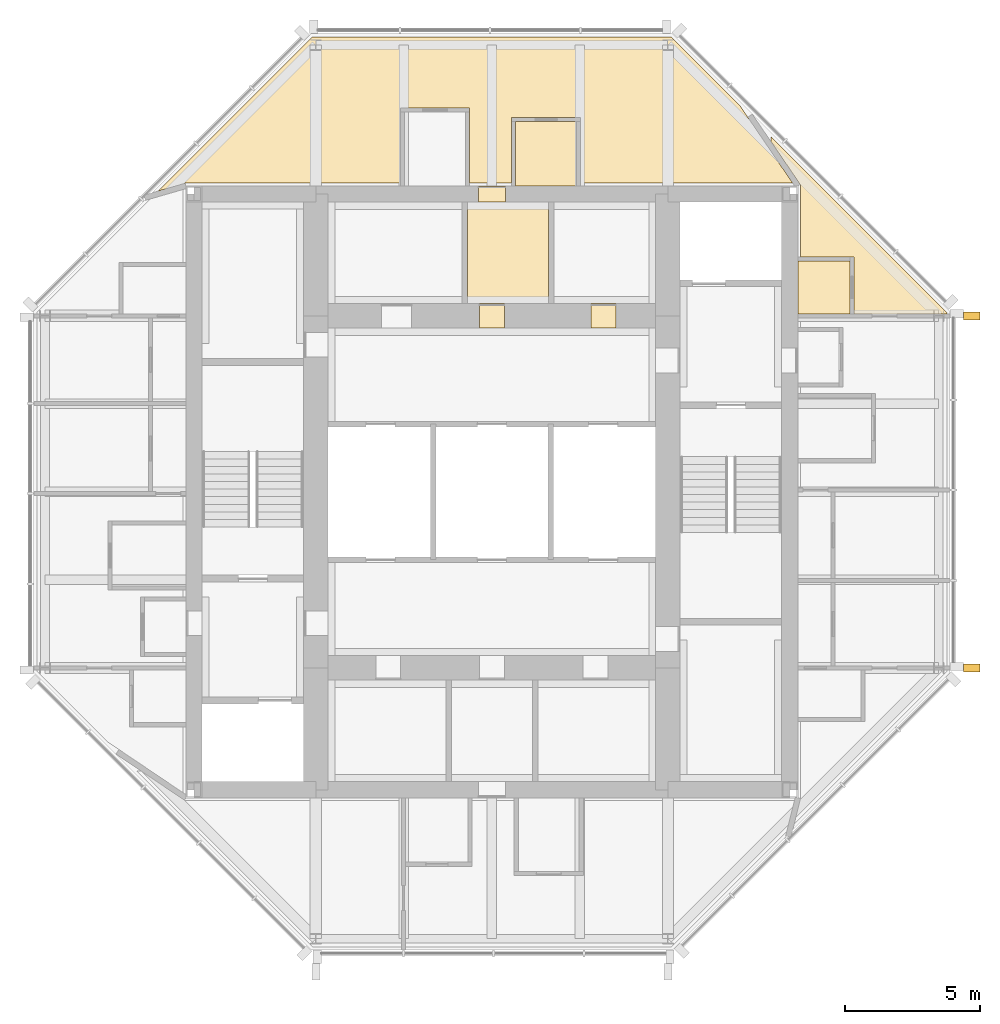
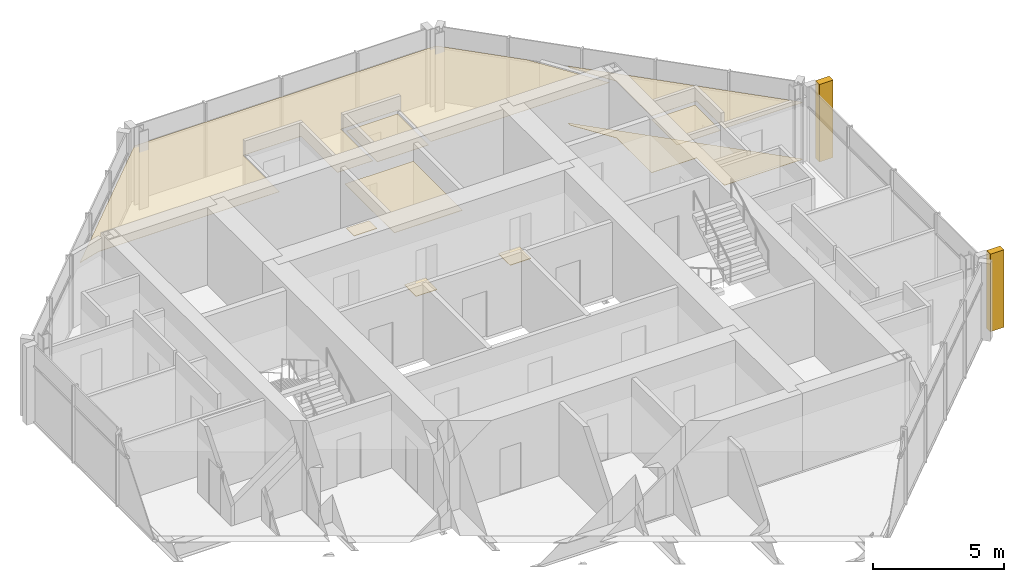
# One storey, part 9 of 9: 11 coverings.
"""IFC4 building model written with IfcOpenShell, lengths in metres."""

from ifc_helpers import new_model, si_unit, direction, frame, origin, origin_2d, place, context, subcontext, project, spatial, polyline, rectangle, outline, extrude, material, layer, layer_set, type_object, element, save


model = new_model("IFC4")

# Units and contexts
model_context = context("Model", 3, precision=1e-05, world=origin(), true_north=direction((0.0, 1.0)))
body_context = subcontext(model_context, "Body", "Model", "MODEL_VIEW")
ifc_project = project(units=[si_unit("LENGTHUNIT", "METRE"), si_unit("AREAUNIT", "SQUARE_METRE"), si_unit("VOLUMEUNIT", "CUBIC_METRE"), si_unit("PLANEANGLEUNIT", "RADIAN"), si_unit("MASSUNIT", "GRAM", prefix="KILO")], contexts=[model_context])

# Site, building, storey
site_placement = place(None, origin())
site = spatial("IfcSite", under=ifc_project, at=site_placement, CompositionType="ELEMENT")
building_placement = place(site_placement, origin())
building = spatial("IfcBuilding", under=site, at=building_placement, Name="Trevanion Tower", CompositionType="ELEMENT")
storey_placement = place(building_placement, frame((0.0, 0.0, 292.0)))
storey = spatial("IfcBuildingStorey", under=building, at=storey_placement, Name="L72", CompositionType="ELEMENT", Elevation=292.0)

# Coverings
ifc_material_1 = material(Name="Mineral fibre acoustic tiles in exposed grid", Category="mineral fibre")
ifc_layer_1 = layer(ifc_material_1, 0.02001953125)
ifc_layer_set_1 = layer_set([ifc_layer_1], Name="CL2 acoustic tile ceiling 20")
covering_type_1 = type_object("IfcCoveringType", Name="CL2 acoustic tile ceiling 20", PredefinedType="CEILING", material=ifc_layer_set_1)
covering_1_placement = place(storey_placement, frame((0.0, 0.0, 2.56005859375)))
element("IfcCovering", 1, at=covering_1_placement, inside=storey, type_object=covering_type_1, Name="CL2 L72-CNC", PredefinedType="CEILING", context=body_context, shape_type="SweptSolid", body=[
    extrude(outline(polyline([(2.10009765625, 6.949951171875), (2.10009765625, 10.699951171875), (-0.89990234375, 10.699951171875), (-0.89990234375, 6.949951171875), (2.10009765625, 6.949951171875)])), origin(), (0.0, 0.0, 1.0), 0.02001953125),
])
ifc_material_2 = material(Name="Gypsum plasterboard on suspended metal furring", Category="gypsum")
ifc_layer_2 = layer(ifc_material_2, 0.012939453125)
ifc_layer_set_2 = layer_set([ifc_layer_2], Name="CL3 plasterboard ceiling 13")
covering_type_2 = type_object("IfcCoveringType", Name="CL3 plasterboard ceiling 13", PredefinedType="CEILING", material=ifc_layer_set_2)
covering_2_placement = place(storey_placement, frame((0.0, 0.0, 2.64111328125)))
element("IfcCovering", 2, at=covering_2_placement, inside=storey, type_object=covering_type_2, Name="CL3 L72-REB3", PredefinedType="CEILING", context=body_context, shape_type="SweptSolid", body=[
    extrude(outline(polyline([(13.375, 6.574951171875), (13.375, 8.675048828125), (11.39990234375, 8.675048828125), (11.39990234375, 11.330810546875), (10.300048828125, 12.94384765625), (10.300048828125, 13.124267578125), (16.800048828125, 6.624267578125), (16.800048828125, 6.574951171875), (13.375, 6.574951171875)])), origin(), (0.0, 0.0, 1.0), 0.012939453125),
])
covering_3_placement = place(storey_placement, frame((0.0, 0.0, 2.64111328125)))
element("IfcCovering", 3, at=covering_3_placement, inside=storey, type_object=covering_type_2, Name="CL3 L72-RNL", PredefinedType="CEILING", context=body_context, shape_type="SweptSolid", body=[
    extrude(outline(polyline([(9.15185546875, 14.272216796875), (11.11083984375, 11.39990234375), (3.27490234375, 11.39990234375), (3.27490234375, 13.824951171875), (0.72509765625, 13.824951171875), (0.72509765625, 11.39990234375), (-0.824951171875, 11.39990234375), (-0.824951171875, 14.175048828125), (-3.375, 14.175048828125), (-3.375, 11.39990234375), (-11.314208984375, 11.39990234375), (-12.313720703125, 11.110595703125), (-6.624267578125, 16.800048828125), (6.624267578125, 16.800048828125), (9.15185546875, 14.272216796875)])), origin(), (0.0, 0.0, 1.0), 0.012939453125),
])
ifc_material_3 = material(Name="Moisture-resistant gypsum board on suspended metal furring", Category="gypsum")
ifc_layer_3 = layer(ifc_material_3, 0.01611328125)
ifc_layer_set_3 = layer_set([ifc_layer_3], Name="CL4 moisture-resistant board ceiling 16")
covering_type_3 = type_object("IfcCoveringType", Name="CL4 moisture-resistant board ceiling 16", PredefinedType="CEILING", material=ifc_layer_set_3)
covering_4_placement = place(storey_placement, frame((0.0, 0.0, 2.60009765625)))
element("IfcCovering", 4, at=covering_4_placement, inside=storey, type_object=covering_type_3, Name="CL4 L72-REW", PredefinedType="CEILING", context=body_context, shape_type="SweptSolid", body=[
    extrude(outline(polyline([(13.22509765625, 6.574951171875), (13.22509765625, 8.52490234375), (11.300048828125, 8.52490234375), (11.300048828125, 6.574951171875), (13.22509765625, 6.574951171875)])), origin(), (0.0, 0.0, 1.0), 0.015869140625),
])
covering_5_placement = place(storey_placement, frame((0.0, 0.0, 2.60009765625)))
element("IfcCovering", 5, at=covering_5_placement, inside=storey, type_object=covering_type_3, Name="CL4 L72-RNT", PredefinedType="CEILING", context=body_context, shape_type="SweptSolid", body=[
    extrude(outline(polyline([(3.125, 13.675048828125), (0.875, 13.675048828125), (0.875, 11.300048828125), (3.125, 11.300048828125), (3.125, 13.675048828125)])), origin(), (0.0, 0.0, 1.0), 0.015869140625),
])
ifc_material_4 = material(Name="Cast bronze fin on aluminium carrier", Category="aluminium")
covering_type_4 = type_object("IfcCoveringType", Name="F1 bronze fin", PredefinedType="CLADDING", material=ifc_material_4)
for number, where, z_axis, x_axis, name in (
    (6, (17.72509765625, -6.5, -0.18994140625), (0.0, 0.0, 1.0), (0.0, 1.0, 0.0), "F1 L72 east -6.5"),
    (7, (17.72509765625, 6.5, -0.18994140625), (0.0, 0.0, 1.0), (0.0, 1.0, 0.0), "F1 L72 east +6.5"),
):
    element("IfcCovering", number, at=place(storey_placement, frame(where, z_axis=z_axis, x_axis=x_axis)), inside=storey, type_object=covering_type_4, Name=name, PredefinedType="CLADDING", context=body_context, shape_type="SweptSolid", body=[
        extrude(rectangle(XDim=0.300048828125, YDim=0.60009765625, at=origin_2d()), origin(), (0.0, 0.0, 1.0), 3.60009765625),
    ])
ifc_material_5 = material(Name="Terrazzo, brass divider strips", Category="stone")
ifc_layer_4 = layer(ifc_material_5, 0.02001953125)
ifc_layer_set_4 = layer_set([ifc_layer_4], Name="FF1 terrazzo flooring")
covering_type_5 = type_object("IfcCoveringType", Name="FF1 terrazzo flooring", PredefinedType="FLOORING", material=ifc_layer_set_4)
covering_6_placement = place(storey_placement, origin())
element("IfcCovering", 8, at=covering_6_placement, inside=storey, type_object=covering_type_5, Name="FF1 threshold 72-017", PredefinedType="FLOORING", context=body_context, shape_type="SweptSolid", body=[
    extrude(outline(polyline([(0.45751953125, 6.949951171875), (-0.45751953125, 6.949951171875), (-0.45751953125, 6.050048828125), (0.45751953125, 6.050048828125), (0.45751953125, 6.949951171875)])), origin(), (0.0, 0.0, 1.0), 0.02001953125),
])
covering_7_placement = place(storey_placement, origin())
element("IfcCovering", 9, at=covering_7_placement, inside=storey, type_object=covering_type_5, Name="FF1 threshold 72-018", PredefinedType="FLOORING", context=body_context, shape_type="SweptSolid", body=[
    extrude(outline(polyline([(0.5, 11.300048828125), (-0.5, 11.300048828125), (-0.5, 10.699951171875), (0.5, 10.699951171875), (0.5, 11.300048828125)])), origin(), (0.0, 0.0, 1.0), 0.02001953125),
])
covering_8_placement = place(storey_placement, origin())
element("IfcCovering", 10, at=covering_8_placement, inside=storey, type_object=covering_type_5, Name="FF1 threshold 72-020", PredefinedType="FLOORING", context=body_context, shape_type="SweptSolid", body=[
    extrude(outline(polyline([(4.58251953125, 6.949951171875), (3.66748046875, 6.949951171875), (3.66748046875, 6.050048828125), (4.58251953125, 6.050048828125), (4.58251953125, 6.949951171875)])), origin(), (0.0, 0.0, 1.0), 0.02001953125),
])
ifc_material_6 = material(Name="Engineered oak", Category="wood")
ifc_layer_5 = layer(ifc_material_6, 0.014892578125)
ifc_layer_set_5 = layer_set([ifc_layer_5], Name="FF3 timber flooring")
covering_type_6 = type_object("IfcCoveringType", Name="FF3 timber flooring", PredefinedType="FLOORING", material=ifc_layer_set_5)
covering_9_placement = place(storey_placement, origin())
element("IfcCovering", 11, at=covering_9_placement, inside=storey, type_object=covering_type_6, Name="FF3 L72-REB3", PredefinedType="FLOORING", context=body_context, shape_type="SweptSolid", body=[
    extrude(outline(polyline([(13.375, 6.574951171875), (13.375, 8.675048828125), (11.39990234375, 8.675048828125), (11.39990234375, 11.330810546875), (10.300048828125, 12.94384765625), (10.300048828125, 13.124267578125), (16.800048828125, 6.624267578125), (16.800048828125, 6.574951171875), (13.375, 6.574951171875)])), origin(), (0.0, 0.0, 1.0), 0.014892578125),
])

save(model, "model.ifc")
